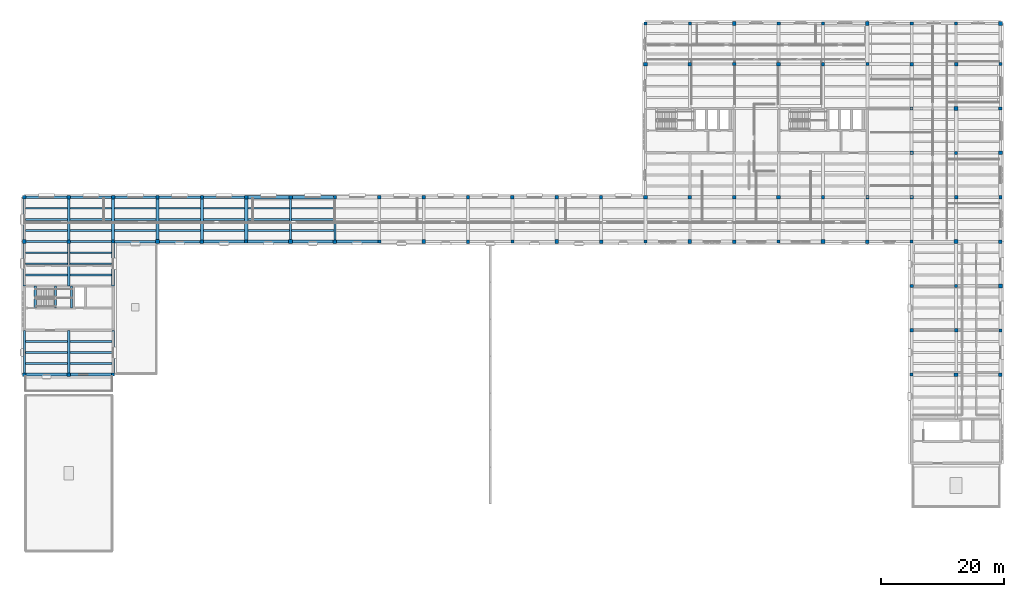
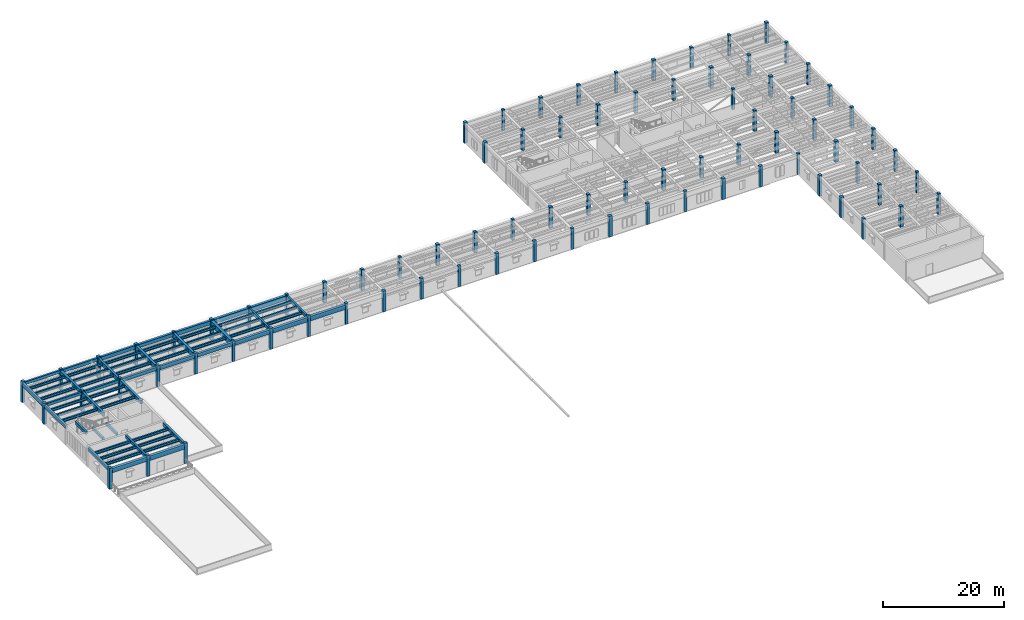
# One storey, part 1 of 27: 82 columns, 67 beams.
"""IFC4 building model written with IfcOpenShell, lengths in metres."""

from ifc_helpers import new_model, si_unit, direction, frame, origin, origin_2d, place, context, subcontext, project, spatial, rectangle, i_section, extrude, material, material_profile, profile_set, type_object, element, save


model = new_model("IFC4")

# Units and contexts
model_context = context("Model", 3, precision=1e-05, world=origin(), true_north=direction((0.0, 1.0)))
body_context = subcontext(model_context, "Body", "Model", "MODEL_VIEW")
ifc_project = project(units=[si_unit("LENGTHUNIT", "METRE"), si_unit("AREAUNIT", "SQUARE_METRE"), si_unit("VOLUMEUNIT", "CUBIC_METRE"), si_unit("PLANEANGLEUNIT", "RADIAN"), si_unit("MASSUNIT", "GRAM", prefix="KILO")], contexts=[model_context])

# Site, building, storey
site_placement = place(None, origin())
site = spatial("IfcSite", under=ifc_project, at=site_placement, CompositionType="ELEMENT")
building_placement = place(site_placement, origin())
building = spatial("IfcBuilding", under=site, at=building_placement, Name="Mithqara Police Headquarters", CompositionType="ELEMENT")
storey_placement = place(building_placement, frame((0.0, 0.0, 18.0)))
storey = spatial("IfcBuildingStorey", under=building, at=storey_placement, Name="L04", CompositionType="ELEMENT", Elevation=18.0)

# Columns
ifc_material_1 = material(Name="Concrete C50/60", Category="concrete")
ifc_material_profile_1 = material_profile(ifc_material_1, rectangle(XDim=0.5, YDim=0.5, at=origin_2d()), Name="RC 500x500")
ifc_profile_set_1 = profile_set([ifc_material_profile_1], Name="Concrete C50/60")
column_type_1 = type_object("IfcColumnType", Name="COLUMN RC500", PredefinedType="COLUMN", material=ifc_profile_set_1)
for number, where, z_axis, x_axis, name in (
    (1, (15.0, 85.800048828125, 0.0), (0.0, 0.0, 1.0), (1.0, 0.0, 0.0), "L04 Column 3/N"),
    (2, (22.199951171875, 57.0, 0.0), (0.0, 0.0, 1.0), (1.0, 0.0, 0.0), "L04 Column 4/J"),
    (3, (22.199951171875, 78.60009765625, 0.0), (0.0, 0.0, 1.0), (1.0, 0.0, 0.0), "L04 Column 4/M"),
    (4, (36.60009765625, 85.800048828125, 0.0), (0.0, 0.0, 1.0), (1.0, 0.0, 0.0), "L04 Column 6/N"),
    (5, (43.800048828125, 78.60009765625, 0.0), (0.0, 0.0, 1.0), (1.0, 0.0, 0.0), "L04 Column 7/M"),
    (6, (58.199951171875, 85.800048828125, 0.0), (0.0, 0.0, 1.0), (1.0, 0.0, 0.0), "L04 Column 9/N"),
    (7, (65.39990234375, 78.60009765625, 0.0), (0.0, 0.0, 1.0), (1.0, 0.0, 0.0), "L04 Column 10/M"),
    (8, (79.800048828125, 85.800048828125, 0.0), (0.0, 0.0, 1.0), (1.0, 0.0, 0.0), "L04 Column 12/N"),
    (9, (87.0, 78.60009765625, 0.0), (0.0, 0.0, 1.0), (1.0, 0.0, 0.0), "L04 Column 13/M"),
    (10, (101.39990234375, 85.800048828125, 0.0), (0.0, 0.0, 1.0), (1.0, 0.0, 0.0), "L04 Column 15/N"),
    (11, (108.60009765625, 78.60009765625, 0.0), (0.0, 0.0, 1.0), (1.0, 0.0, 0.0), "L04 Column 16/M"),
    (12, (115.800048828125, 114.0, 0.0), (0.0, 0.0, 1.0), (1.0, 0.0, 0.0), "L04 Column 17/S"),
    (13, (123.0, 85.800048828125, 0.0), (0.0, 0.0, 1.0), (1.0, 0.0, 0.0), "L04 Column 18/N"),
    (14, (123.0, 107.39990234375, 0.0), (0.0, 0.0, 1.0), (1.0, 0.0, 0.0), "L04 Column 18/R"),
    (15, (130.199951171875, 78.60009765625, 0.0), (0.0, 0.0, 1.0), (1.0, 0.0, 0.0), "L04 Column 19/M"),
    (16, (137.39990234375, 114.0, 0.0), (0.0, 0.0, 1.0), (1.0, 0.0, 0.0), "L04 Column 20/S"),
    (17, (144.60009765625, 85.800048828125, 0.0), (0.0, 0.0, 1.0), (1.0, 0.0, 0.0), "L04 Column 21/N"),
    (18, (144.60009765625, 107.39990234375, 0.0), (0.0, 0.0, 1.0), (1.0, 0.0, 0.0), "L04 Column 21/R"),
    (19, (151.800048828125, 57.0, 0.0), (0.0, 0.0, 1.0), (1.0, 0.0, 0.0), "L04 Column 22/J"),
    (20, (151.800048828125, 78.60009765625, 0.0), (0.0, 0.0, 1.0), (1.0, 0.0, 0.0), "L04 Column 22/M"),
    (21, (151.800048828125, 100.199951171875, 0.0), (0.0, 0.0, 1.0), (1.0, 0.0, 0.0), "L04 Column 22/Q"),
    (22, (159.0, 71.39990234375, 0.0), (0.0, 0.0, 1.0), (1.0, 0.0, 0.0), "L04 Column 23/L"),
    (23, (159.0, 93.0, 0.0), (0.0, 0.0, 1.0), (1.0, 0.0, 0.0), "L04 Column 23/P"),
    (24, (159.0, 114.0, 0.0), (0.0, 0.0, 1.0), (1.0, 0.0, 0.0), "L04 Column 23/S"),
    (25, (166.199951171875, 64.199951171875, 0.0), (0.0, 0.0, 1.0), (1.0, 0.0, 0.0), "L04 Column 24/K"),
    (26, (166.199951171875, 85.800048828125, 0.0), (0.0, 0.0, 1.0), (1.0, 0.0, 0.0), "L04 Column 24/N"),
    (27, (166.199951171875, 107.39990234375, 0.0), (0.0, 0.0, 1.0), (1.0, 0.0, 0.0), "L04 Column 24/R"),
):
    element("IfcColumn", number, at=place(storey_placement, frame(where, z_axis=z_axis, x_axis=x_axis)), inside=storey, type_object=column_type_1, Name=name, PredefinedType="COLUMN", context=body_context, shape_type="SweptSolid", body=[
        extrude(rectangle(XDim=0.5, YDim=0.5, at=origin_2d()), origin(), (0.0, 0.0, 1.0), 4.199951171875),
    ])
ifc_material_profile_2 = material_profile(ifc_material_1, rectangle(XDim=0.550048828125, YDim=0.550048828125, at=origin_2d()), Name="RC 550x550")
ifc_profile_set_2 = profile_set([ifc_material_profile_2], Name="Concrete C50/60")
column_type_2 = type_object("IfcColumnType", Name="COLUMN RC550", PredefinedType="COLUMN", material=ifc_profile_set_2)
for number, where, z_axis, x_axis, name in (
    (28, (7.800048828125, 85.800048828125, 0.0), (0.0, 0.0, 1.0), (1.0, 0.0, 0.0), "L04 Column 2/N"),
    (29, (15.0, 57.0, 0.0), (0.0, 0.0, 1.0), (1.0, 0.0, 0.0), "L04 Column 3/J"),
    (30, (15.0, 78.60009765625, 0.0), (0.0, 0.0, 1.0), (1.0, 0.0, 0.0), "L04 Column 3/M"),
    (31, (29.39990234375, 85.800048828125, 0.0), (0.0, 0.0, 1.0), (1.0, 0.0, 0.0), "L04 Column 5/N"),
    (32, (36.60009765625, 78.60009765625, 0.0), (0.0, 0.0, 1.0), (1.0, 0.0, 0.0), "L04 Column 6/M"),
    (33, (51.0, 85.800048828125, 0.0), (0.0, 0.0, 1.0), (1.0, 0.0, 0.0), "L04 Column 8/N"),
    (34, (58.199951171875, 78.60009765625, 0.0), (0.0, 0.0, 1.0), (1.0, 0.0, 0.0), "L04 Column 9/M"),
    (35, (72.60009765625, 85.800048828125, 0.0), (0.0, 0.0, 1.0), (1.0, 0.0, 0.0), "L04 Column 11/N"),
    (36, (79.800048828125, 78.60009765625, 0.0), (0.0, 0.0, 1.0), (1.0, 0.0, 0.0), "L04 Column 12/M"),
    (37, (94.199951171875, 85.800048828125, 0.0), (0.0, 0.0, 1.0), (1.0, 0.0, 0.0), "L04 Column 14/N"),
    (38, (101.39990234375, 78.60009765625, 0.0), (0.0, 0.0, 1.0), (1.0, 0.0, 0.0), "L04 Column 15/M"),
    (39, (108.60009765625, 114.0, 0.0), (0.0, 0.0, 1.0), (1.0, 0.0, 0.0), "L04 Column 16/S"),
    (40, (115.800048828125, 85.800048828125, 0.0), (0.0, 0.0, 1.0), (1.0, 0.0, 0.0), "L04 Column 17/N"),
    (41, (115.800048828125, 107.39990234375, 0.0), (0.0, 0.0, 1.0), (1.0, 0.0, 0.0), "L04 Column 17/R"),
    (42, (123.0, 78.60009765625, 0.0), (0.0, 0.0, 1.0), (1.0, 0.0, 0.0), "L04 Column 18/M"),
    (43, (130.199951171875, 114.0, 0.0), (0.0, 0.0, 1.0), (1.0, 0.0, 0.0), "L04 Column 19/S"),
    (44, (137.39990234375, 85.800048828125, 0.0), (0.0, 0.0, 1.0), (1.0, 0.0, 0.0), "L04 Column 20/N"),
    (45, (137.39990234375, 107.39990234375, 0.0), (0.0, 0.0, 1.0), (1.0, 0.0, 0.0), "L04 Column 20/R"),
    (46, (144.60009765625, 78.60009765625, 0.0), (0.0, 0.0, 1.0), (1.0, 0.0, 0.0), "L04 Column 21/M"),
    (47, (151.800048828125, 71.39990234375, 0.0), (0.0, 0.0, 1.0), (1.0, 0.0, 0.0), "L04 Column 22/L"),
    (48, (151.800048828125, 93.0, 0.0), (0.0, 0.0, 1.0), (1.0, 0.0, 0.0), "L04 Column 22/P"),
    (49, (151.800048828125, 114.0, 0.0), (0.0, 0.0, 1.0), (1.0, 0.0, 0.0), "L04 Column 22/S"),
    (50, (159.0, 64.199951171875, 0.0), (0.0, 0.0, 1.0), (1.0, 0.0, 0.0), "L04 Column 23/K"),
    (51, (159.0, 85.800048828125, 0.0), (0.0, 0.0, 1.0), (1.0, 0.0, 0.0), "L04 Column 23/N"),
    (52, (159.0, 107.39990234375, 0.0), (0.0, 0.0, 1.0), (1.0, 0.0, 0.0), "L04 Column 23/R"),
    (53, (166.199951171875, 57.0, 0.0), (0.0, 0.0, 1.0), (1.0, 0.0, 0.0), "L04 Column 24/J"),
    (54, (166.199951171875, 78.60009765625, 0.0), (0.0, 0.0, 1.0), (1.0, 0.0, 0.0), "L04 Column 24/M"),
    (55, (166.199951171875, 100.199951171875, 0.0), (0.0, 0.0, 1.0), (1.0, 0.0, 0.0), "L04 Column 24/Q"),
):
    element("IfcColumn", number, at=place(storey_placement, frame(where, z_axis=z_axis, x_axis=x_axis)), inside=storey, type_object=column_type_2, Name=name, PredefinedType="COLUMN", context=body_context, shape_type="SweptSolid", body=[
        extrude(rectangle(XDim=0.550048828125, YDim=0.550048828125, at=origin_2d()), origin(), (0.0, 0.0, 1.0), 4.199951171875),
    ])
ifc_material_profile_3 = material_profile(ifc_material_1, rectangle(XDim=0.60009765625, YDim=0.60009765625, at=origin_2d()), Name="RC 600x600")
ifc_profile_set_3 = profile_set([ifc_material_profile_3], Name="Concrete C50/60")
column_type_3 = type_object("IfcColumnType", Name="COLUMN RC600", PredefinedType="COLUMN", material=ifc_profile_set_3)
for number, where, z_axis, x_axis, name in (
    (56, (7.800048828125, 57.0, 0.0), (0.0, 0.0, 1.0), (1.0, 0.0, 0.0), "L04 Column 2/J"),
    (57, (7.800048828125, 78.60009765625, 0.0), (0.0, 0.0, 1.0), (1.0, 0.0, 0.0), "L04 Column 2/M"),
    (58, (22.199951171875, 85.800048828125, 0.0), (0.0, 0.0, 1.0), (1.0, 0.0, 0.0), "L04 Column 4/N"),
    (59, (29.39990234375, 78.60009765625, 0.0), (0.0, 0.0, 1.0), (1.0, 0.0, 0.0), "L04 Column 5/M"),
    (60, (43.800048828125, 85.800048828125, 0.0), (0.0, 0.0, 1.0), (1.0, 0.0, 0.0), "L04 Column 7/N"),
    (61, (51.0, 78.60009765625, 0.0), (0.0, 0.0, 1.0), (1.0, 0.0, 0.0), "L04 Column 8/M"),
    (62, (65.39990234375, 85.800048828125, 0.0), (0.0, 0.0, 1.0), (1.0, 0.0, 0.0), "L04 Column 10/N"),
    (63, (72.60009765625, 78.60009765625, 0.0), (0.0, 0.0, 1.0), (1.0, 0.0, 0.0), "L04 Column 11/M"),
    (64, (87.0, 85.800048828125, 0.0), (0.0, 0.0, 1.0), (1.0, 0.0, 0.0), "L04 Column 13/N"),
    (65, (94.199951171875, 78.60009765625, 0.0), (0.0, 0.0, 1.0), (1.0, 0.0, 0.0), "L04 Column 14/M"),
    (66, (108.60009765625, 85.800048828125, 0.0), (0.0, 0.0, 1.0), (1.0, 0.0, 0.0), "L04 Column 16/N"),
    (67, (108.60009765625, 107.39990234375, 0.0), (0.0, 0.0, 1.0), (1.0, 0.0, 0.0), "L04 Column 16/R"),
    (68, (115.800048828125, 78.60009765625, 0.0), (0.0, 0.0, 1.0), (1.0, 0.0, 0.0), "L04 Column 17/M"),
    (69, (123.0, 114.0, 0.0), (0.0, 0.0, 1.0), (1.0, 0.0, 0.0), "L04 Column 18/S"),
    (70, (130.199951171875, 85.800048828125, 0.0), (0.0, 0.0, 1.0), (1.0, 0.0, 0.0), "L04 Column 19/N"),
    (71, (130.199951171875, 107.39990234375, 0.0), (0.0, 0.0, 1.0), (1.0, 0.0, 0.0), "L04 Column 19/R"),
    (72, (137.39990234375, 78.60009765625, 0.0), (0.0, 0.0, 1.0), (1.0, 0.0, 0.0), "L04 Column 20/M"),
    (73, (144.60009765625, 114.0, 0.0), (0.0, 0.0, 1.0), (1.0, 0.0, 0.0), "L04 Column 21/S"),
    (74, (151.800048828125, 64.199951171875, 0.0), (0.0, 0.0, 1.0), (1.0, 0.0, 0.0), "L04 Column 22/K"),
    (75, (151.800048828125, 85.800048828125, 0.0), (0.0, 0.0, 1.0), (1.0, 0.0, 0.0), "L04 Column 22/N"),
    (76, (151.800048828125, 107.39990234375, 0.0), (0.0, 0.0, 1.0), (1.0, 0.0, 0.0), "L04 Column 22/R"),
    (77, (159.0, 57.0, 0.0), (0.0, 0.0, 1.0), (1.0, 0.0, 0.0), "L04 Column 23/J"),
    (78, (159.0, 78.60009765625, 0.0), (0.0, 0.0, 1.0), (1.0, 0.0, 0.0), "L04 Column 23/M"),
    (79, (159.0, 100.199951171875, 0.0), (0.0, 0.0, 1.0), (1.0, 0.0, 0.0), "L04 Column 23/Q"),
    (80, (166.199951171875, 71.39990234375, 0.0), (0.0, 0.0, 1.0), (1.0, 0.0, 0.0), "L04 Column 24/L"),
    (81, (166.199951171875, 93.0, 0.0), (0.0, 0.0, 1.0), (1.0, 0.0, 0.0), "L04 Column 24/P"),
    (82, (166.199951171875, 114.0, 0.0), (0.0, 0.0, 1.0), (1.0, 0.0, 0.0), "L04 Column 24/S"),
):
    element("IfcColumn", number, at=place(storey_placement, frame(where, z_axis=z_axis, x_axis=x_axis)), inside=storey, type_object=column_type_3, Name=name, PredefinedType="COLUMN", context=body_context, shape_type="SweptSolid", body=[
        extrude(rectangle(XDim=0.60009765625, YDim=0.60009765625, at=origin_2d()), origin(), (0.0, 0.0, 1.0), 4.199951171875),
    ])

# Beams
ifc_material_2 = material(Name="Steel S355JR", Category="steel")
ifc_material_profile_4 = material_profile(ifc_material_2, i_section(OverallWidth=0.300048828125, OverallDepth=0.550048828125, WebThickness=0.014892578125, FlangeThickness=0.029052734375, FilletRadius=0.027099609375, at=origin_2d()), Name="HEB 550")
ifc_profile_set_4 = profile_set([ifc_material_profile_4], Name="Steel S355JR")
beam_type_1 = type_object("IfcBeamType", Name="BEAM HEB550", PredefinedType="BEAM", material=ifc_profile_set_4)
for number, where, z_axis, x_axis, name in (
    (83, (7.97509765625, 58.800048828125, 3.6650390625), (1.0, 0.0, 0.0), (0.0, 1.0, 0.0), "L04 Composite Steel Joist 2-3/J.1"),
    (84, (7.97509765625, 60.60009765625, 3.6650390625), (1.0, 0.0, 0.0), (0.0, 1.0, 0.0), "L04 Composite Steel Joist 2-3/J.2"),
    (85, (7.97509765625, 62.39990234375, 3.6650390625), (1.0, 0.0, 0.0), (0.0, 1.0, 0.0), "L04 Composite Steel Joist 2-3/J.3"),
):
    element("IfcBeam", number, at=place(storey_placement, frame(where, z_axis=z_axis, x_axis=x_axis)), inside=storey, type_object=beam_type_1, Name=name, PredefinedType="BEAM", context=body_context, shape_type="SweptSolid", body=[
        extrude(i_section(OverallWidth=0.300048828125, OverallDepth=0.550048828125, WebThickness=0.014892578125, FlangeThickness=0.029052734375, FilletRadius=0.027099609375, at=origin_2d()), origin(), (0.0, 0.0, 1.0), 6.849853515625),
    ])
for number, where, z_axis, x_axis, name in (
    (86, (8.0, 73.199951171875, 3.6650390625), (1.0, 0.0, 0.0), (0.0, 1.0, 0.0), "L04 Composite Steel Joist 2-3/L.1"),
    (87, (8.0, 75.0, 3.6650390625), (1.0, 0.0, 0.0), (0.0, 1.0, 0.0), "L04 Composite Steel Joist 2-3/L.2"),
    (88, (8.0, 76.800048828125, 3.6650390625), (1.0, 0.0, 0.0), (0.0, 1.0, 0.0), "L04 Composite Steel Joist 2-3/L.3"),
):
    element("IfcBeam", number, at=place(storey_placement, frame(where, z_axis=z_axis, x_axis=x_axis)), inside=storey, type_object=beam_type_1, Name=name, PredefinedType="BEAM", context=body_context, shape_type="SweptSolid", body=[
        extrude(i_section(OverallWidth=0.300048828125, OverallDepth=0.550048828125, WebThickness=0.014892578125, FlangeThickness=0.029052734375, FilletRadius=0.027099609375, at=origin_2d()), origin(), (0.0, 0.0, 1.0), 6.800048828125),
    ])
for number, where, z_axis, x_axis, name in (
    (89, (8.0, 80.39990234375, 3.6650390625), (1.0, 0.0, 0.0), (0.0, 1.0, 0.0), "L04 Composite Steel Joist 2-3/M.1"),
    (90, (8.0, 82.199951171875, 3.6650390625), (1.0, 0.0, 0.0), (0.0, 1.0, 0.0), "L04 Composite Steel Joist 2-3/M.2"),
    (91, (8.0, 84.0, 3.6650390625), (1.0, 0.0, 0.0), (0.0, 1.0, 0.0), "L04 Composite Steel Joist 2-3/M.3"),
):
    element("IfcBeam", number, at=place(storey_placement, frame(where, z_axis=z_axis, x_axis=x_axis)), inside=storey, type_object=beam_type_1, Name=name, PredefinedType="BEAM", context=body_context, shape_type="SweptSolid", body=[
        extrude(i_section(OverallWidth=0.300048828125, OverallDepth=0.550048828125, WebThickness=0.014892578125, FlangeThickness=0.029052734375, FilletRadius=0.027099609375, at=origin_2d()), origin(), (0.0, 0.0, 1.0), 6.77490234375),
    ])
for number, where, z_axis, x_axis, name in (
    (92, (15.175048828125, 58.800048828125, 3.6650390625), (1.0, 0.0, 0.0), (0.0, 1.0, 0.0), "L04 Composite Steel Joist 3-4/J.1"),
    (93, (15.175048828125, 60.60009765625, 3.6650390625), (1.0, 0.0, 0.0), (0.0, 1.0, 0.0), "L04 Composite Steel Joist 3-4/J.2"),
    (94, (15.175048828125, 62.39990234375, 3.6650390625), (1.0, 0.0, 0.0), (0.0, 1.0, 0.0), "L04 Composite Steel Joist 3-4/J.3"),
):
    element("IfcBeam", number, at=place(storey_placement, frame(where, z_axis=z_axis, x_axis=x_axis)), inside=storey, type_object=beam_type_1, Name=name, PredefinedType="BEAM", context=body_context, shape_type="SweptSolid", body=[
        extrude(i_section(OverallWidth=0.300048828125, OverallDepth=0.550048828125, WebThickness=0.014892578125, FlangeThickness=0.029052734375, FilletRadius=0.027099609375, at=origin_2d()), origin(), (0.0, 0.0, 1.0), 6.824951171875),
    ])
for number, where, z_axis, x_axis, name in (
    (95, (15.199951171875, 73.199951171875, 3.6650390625), (1.0, 0.0, 0.0), (0.0, 1.0, 0.0), "L04 Composite Steel Joist 3-4/L.1"),
    (96, (15.199951171875, 75.0, 3.6650390625), (1.0, 0.0, 0.0), (0.0, 1.0, 0.0), "L04 Composite Steel Joist 3-4/L.2"),
    (97, (15.199951171875, 76.800048828125, 3.6650390625), (1.0, 0.0, 0.0), (0.0, 1.0, 0.0), "L04 Composite Steel Joist 3-4/L.3"),
):
    element("IfcBeam", number, at=place(storey_placement, frame(where, z_axis=z_axis, x_axis=x_axis)), inside=storey, type_object=beam_type_1, Name=name, PredefinedType="BEAM", context=body_context, shape_type="SweptSolid", body=[
        extrude(i_section(OverallWidth=0.300048828125, OverallDepth=0.550048828125, WebThickness=0.014892578125, FlangeThickness=0.029052734375, FilletRadius=0.027099609375, at=origin_2d()), origin(), (0.0, 0.0, 1.0), 6.775146484375),
    ])
for number, where, z_axis, x_axis, name in (
    (98, (15.22509765625, 80.39990234375, 3.6650390625), (1.0, 0.0, 0.0), (0.0, 1.0, 0.0), "L04 Composite Steel Joist 3-4/M.1"),
    (99, (15.22509765625, 82.199951171875, 3.6650390625), (1.0, 0.0, 0.0), (0.0, 1.0, 0.0), "L04 Composite Steel Joist 3-4/M.2"),
    (100, (15.22509765625, 84.0, 3.6650390625), (1.0, 0.0, 0.0), (0.0, 1.0, 0.0), "L04 Composite Steel Joist 3-4/M.3"),
):
    element("IfcBeam", number, at=place(storey_placement, frame(where, z_axis=z_axis, x_axis=x_axis)), inside=storey, type_object=beam_type_1, Name=name, PredefinedType="BEAM", context=body_context, shape_type="SweptSolid", body=[
        extrude(i_section(OverallWidth=0.300048828125, OverallDepth=0.550048828125, WebThickness=0.014892578125, FlangeThickness=0.029052734375, FilletRadius=0.027099609375, at=origin_2d()), origin(), (0.0, 0.0, 1.0), 6.75),
    ])
for number, where, z_axis, x_axis, name in (
    (101, (22.425048828125, 80.39990234375, 3.6650390625), (1.0, 0.0, 0.0), (0.0, 1.0, 0.0), "L04 Composite Steel Joist 4-5/M.1"),
    (102, (22.425048828125, 82.199951171875, 3.6650390625), (1.0, 0.0, 0.0), (0.0, 1.0, 0.0), "L04 Composite Steel Joist 4-5/M.2"),
    (103, (22.425048828125, 84.0, 3.6650390625), (1.0, 0.0, 0.0), (0.0, 1.0, 0.0), "L04 Composite Steel Joist 4-5/M.3"),
):
    element("IfcBeam", number, at=place(storey_placement, frame(where, z_axis=z_axis, x_axis=x_axis)), inside=storey, type_object=beam_type_1, Name=name, PredefinedType="BEAM", context=body_context, shape_type="SweptSolid", body=[
        extrude(i_section(OverallWidth=0.300048828125, OverallDepth=0.550048828125, WebThickness=0.014892578125, FlangeThickness=0.029052734375, FilletRadius=0.027099609375, at=origin_2d()), origin(), (0.0, 0.0, 1.0), 6.724853515625),
    ])
for number, where, z_axis, x_axis, name in (
    (104, (29.64990234375, 80.39990234375, 3.6650390625), (1.0, 0.0, 0.0), (0.0, 1.0, 0.0), "L04 Composite Steel Joist 5-6/M.1"),
    (105, (29.64990234375, 82.199951171875, 3.6650390625), (1.0, 0.0, 0.0), (0.0, 1.0, 0.0), "L04 Composite Steel Joist 5-6/M.2"),
    (106, (29.64990234375, 84.0, 3.6650390625), (1.0, 0.0, 0.0), (0.0, 1.0, 0.0), "L04 Composite Steel Joist 5-6/M.3"),
):
    element("IfcBeam", number, at=place(storey_placement, frame(where, z_axis=z_axis, x_axis=x_axis)), inside=storey, type_object=beam_type_1, Name=name, PredefinedType="BEAM", context=body_context, shape_type="SweptSolid", body=[
        extrude(i_section(OverallWidth=0.300048828125, OverallDepth=0.550048828125, WebThickness=0.014892578125, FlangeThickness=0.029052734375, FilletRadius=0.027099609375, at=origin_2d()), origin(), (0.0, 0.0, 1.0), 6.7001953125),
    ])
for number, where, z_axis, x_axis, name in (
    (107, (36.85009765625, 80.39990234375, 3.6650390625), (1.0, 0.0, 0.0), (0.0, 1.0, 0.0), "L04 Composite Steel Joist 6-7/M.1"),
    (108, (36.85009765625, 82.199951171875, 3.6650390625), (1.0, 0.0, 0.0), (0.0, 1.0, 0.0), "L04 Composite Steel Joist 6-7/M.2"),
    (109, (36.85009765625, 84.0, 3.6650390625), (1.0, 0.0, 0.0), (0.0, 1.0, 0.0), "L04 Composite Steel Joist 6-7/M.3"),
):
    element("IfcBeam", number, at=place(storey_placement, frame(where, z_axis=z_axis, x_axis=x_axis)), inside=storey, type_object=beam_type_1, Name=name, PredefinedType="BEAM", context=body_context, shape_type="SweptSolid", body=[
        extrude(i_section(OverallWidth=0.300048828125, OverallDepth=0.550048828125, WebThickness=0.014892578125, FlangeThickness=0.029052734375, FilletRadius=0.027099609375, at=origin_2d()), origin(), (0.0, 0.0, 1.0), 6.6748046875),
    ])
for number, where, z_axis, x_axis, name in (
    (110, (44.074951171875, 80.39990234375, 3.6650390625), (1.0, 0.0, 0.0), (0.0, 1.0, 0.0), "L04 Composite Steel Joist 7-8/M.1"),
    (111, (44.074951171875, 82.199951171875, 3.6650390625), (1.0, 0.0, 0.0), (0.0, 1.0, 0.0), "L04 Composite Steel Joist 7-8/M.2"),
    (112, (44.074951171875, 84.0, 3.6650390625), (1.0, 0.0, 0.0), (0.0, 1.0, 0.0), "L04 Composite Steel Joist 7-8/M.3"),
):
    element("IfcBeam", number, at=place(storey_placement, frame(where, z_axis=z_axis, x_axis=x_axis)), inside=storey, type_object=beam_type_1, Name=name, PredefinedType="BEAM", context=body_context, shape_type="SweptSolid", body=[
        extrude(i_section(OverallWidth=0.300048828125, OverallDepth=0.550048828125, WebThickness=0.014892578125, FlangeThickness=0.029052734375, FilletRadius=0.027099609375, at=origin_2d()), origin(), (0.0, 0.0, 1.0), 6.75),
    ])
for number, where, z_axis, x_axis, name in (
    (113, (51.175048828125, 80.39990234375, 3.6650390625), (1.0, 0.0, 0.0), (0.0, 1.0, 0.0), "L04 Composite Steel Joist 8-9/M.1"),
    (114, (51.175048828125, 82.199951171875, 3.6650390625), (1.0, 0.0, 0.0), (0.0, 1.0, 0.0), "L04 Composite Steel Joist 8-9/M.2"),
    (115, (51.175048828125, 84.0, 3.6650390625), (1.0, 0.0, 0.0), (0.0, 1.0, 0.0), "L04 Composite Steel Joist 8-9/M.3"),
):
    element("IfcBeam", number, at=place(storey_placement, frame(where, z_axis=z_axis, x_axis=x_axis)), inside=storey, type_object=beam_type_1, Name=name, PredefinedType="BEAM", context=body_context, shape_type="SweptSolid", body=[
        extrude(i_section(OverallWidth=0.300048828125, OverallDepth=0.550048828125, WebThickness=0.014892578125, FlangeThickness=0.029052734375, FilletRadius=0.027099609375, at=origin_2d()), origin(), (0.0, 0.0, 1.0), 6.849853515625),
    ])
ifc_material_3 = material(Name="Concrete C40/50", Category="concrete")
ifc_material_profile_5 = material_profile(ifc_material_3, rectangle(XDim=0.35009765625, YDim=0.550048828125, at=origin_2d()), Name="RC 350x550")
ifc_profile_set_5 = profile_set([ifc_material_profile_5], Name="Concrete C40/50")
beam_type_2 = type_object("IfcBeamType", Name="BEAM RC350X550", PredefinedType="BEAM", material=ifc_profile_set_5)
for number, where, z_axis, x_axis, name in (
    (116, (7.800048828125, 57.0, 3.6650390625), (0.0, 1.0, 0.0), (-1.0, 0.0, 0.0), "L04 Girder 2/J-K"),
    (117, (7.800048828125, 78.60009765625, 3.6650390625), (1.0, 0.0, 0.0), (0.0, 1.0, 0.0), "L04 Girder 2-3/M"),
    (118, (51.0, 78.60009765625, 3.6650390625), (0.0, 1.0, 0.0), (-1.0, 0.0, 0.0), "L04 Girder 8/M-N"),
):
    element("IfcBeam", number, at=place(storey_placement, frame(where, z_axis=z_axis, x_axis=x_axis)), inside=storey, type_object=beam_type_2, Name=name, PredefinedType="BEAM", context=body_context, shape_type="SweptSolid", body=[
        extrude(rectangle(XDim=0.35009765625, YDim=0.550048828125, at=origin_2d()), origin(), (0.0, 0.0, 1.0), 7.199951171875),
    ])
for number, where, z_axis, x_axis, name in (
    (119, (12.830078125, 67.820068359375, 1.635009765625), (0.0, 1.0, 0.0), (-1.0, 0.0, 0.0), "L04 ST-03 Half-Landing Bearer LF"),
    (120, (15.449951171875, 67.820068359375, 1.635009765625), (0.0, 1.0, 0.0), (-1.0, 0.0, 0.0), "L04 ST-03 Half-Landing Bearer LB"),
    (121, (9.576904296875, 67.820068359375, 3.925048828125), (0.0, 1.0, 0.0), (-1.0, 0.0, 0.0), "L04 ST-03 Stairwell Trimmer Beam"),
):
    element("IfcBeam", number, at=place(storey_placement, frame(where, z_axis=z_axis, x_axis=x_axis)), inside=storey, type_object=beam_type_2, Name=name, PredefinedType="BEAM", context=body_context, shape_type="SweptSolid", body=[
        extrude(rectangle(XDim=0.35009765625, YDim=0.550048828125, at=origin_2d()), origin(), (0.0, 0.0, 1.0), 3.579833984375),
    ])
ifc_material_profile_6 = material_profile(ifc_material_3, rectangle(XDim=0.35009765625, YDim=0.60009765625, at=origin_2d()), Name="RC 350x600")
ifc_profile_set_6 = profile_set([ifc_material_profile_6], Name="Concrete C40/50")
beam_type_3 = type_object("IfcBeamType", Name="BEAM RC350X600", PredefinedType="BEAM", material=ifc_profile_set_6)
for number, where, z_axis, x_axis, name in (
    (122, (7.800048828125, 85.800048828125, 3.639892578125), (1.0, 0.0, 0.0), (0.0, 1.0, 0.0), "L04 Girder 2-3/N"),
    (123, (15.0, 57.0, 3.639892578125), (0.0, 1.0, 0.0), (-1.0, 0.0, 0.0), "L04 Girder 3/J-K"),
    (124, (15.0, 78.60009765625, 3.639892578125), (1.0, 0.0, 0.0), (0.0, 1.0, 0.0), "L04 Girder 3-4/M"),
    (125, (58.199951171875, 78.60009765625, 3.639892578125), (0.0, 1.0, 0.0), (-1.0, 0.0, 0.0), "L04 Girder 9/M-N"),
):
    element("IfcBeam", number, at=place(storey_placement, frame(where, z_axis=z_axis, x_axis=x_axis)), inside=storey, type_object=beam_type_3, Name=name, PredefinedType="BEAM", context=body_context, shape_type="SweptSolid", body=[
        extrude(rectangle(XDim=0.35009765625, YDim=0.60009765625, at=origin_2d()), origin(), (0.0, 0.0, 1.0), 7.199951171875),
    ])
ifc_material_profile_7 = material_profile(ifc_material_3, rectangle(XDim=0.39990234375, YDim=0.64990234375, at=origin_2d()), Name="RC 400x650")
ifc_profile_set_7 = profile_set([ifc_material_profile_7], Name="Concrete C40/50")
beam_type_4 = type_object("IfcBeamType", Name="BEAM RC400X650", PredefinedType="BEAM", material=ifc_profile_set_7)
beam_1_placement = place(storey_placement, frame((7.800048828125, 71.39990234375, 3.614990234375), z_axis=(0.0, 1.0, 0.0), x_axis=(-1.0, 0.0, 0.0)))
element("IfcBeam", 126, at=beam_1_placement, inside=storey, type_object=beam_type_4, Name="L04 Girder 2/L-M", PredefinedType="BEAM", context=body_context, shape_type="SweptSolid", body=[
    extrude(rectangle(XDim=0.39990234375, YDim=0.64990234375, at=origin_2d()), origin(), (0.0, 0.0, 1.0), 7.2001953125),
])
for number, where, z_axis, x_axis, name in (
    (127, (15.0, 85.800048828125, 3.614990234375), (1.0, 0.0, 0.0), (0.0, 1.0, 0.0), "L04 Girder 3-4/N"),
    (128, (22.199951171875, 57.0, 3.614990234375), (0.0, 1.0, 0.0), (-1.0, 0.0, 0.0), "L04 Girder 4/J-K"),
    (129, (22.199951171875, 78.60009765625, 3.614990234375), (1.0, 0.0, 0.0), (0.0, 1.0, 0.0), "L04 Girder 4-5/M"),
):
    element("IfcBeam", number, at=place(storey_placement, frame(where, z_axis=z_axis, x_axis=x_axis)), inside=storey, type_object=beam_type_4, Name=name, PredefinedType="BEAM", context=body_context, shape_type="SweptSolid", body=[
        extrude(rectangle(XDim=0.39990234375, YDim=0.64990234375, at=origin_2d()), origin(), (0.0, 0.0, 1.0), 7.199951171875),
    ])
ifc_material_profile_8 = material_profile(ifc_material_3, rectangle(XDim=0.39990234375, YDim=0.75, at=origin_2d()), Name="RC 400x750")
ifc_profile_set_8 = profile_set([ifc_material_profile_8], Name="Concrete C40/50")
beam_type_5 = type_object("IfcBeamType", Name="BEAM RC400X750", PredefinedType="BEAM", material=ifc_profile_set_8)
beam_2_placement = place(storey_placement, frame((7.800048828125, 78.60009765625, 3.56494140625), z_axis=(0.0, 1.0, 0.0), x_axis=(-1.0, 0.0, 0.0)))
element("IfcBeam", 130, at=beam_2_placement, inside=storey, type_object=beam_type_5, Name="L04 Girder 2/M-N", PredefinedType="BEAM", context=body_context, shape_type="SweptSolid", body=[
    extrude(rectangle(XDim=0.39990234375, YDim=0.75, at=origin_2d()), origin(), (0.0, 0.0, 1.0), 7.199951171875),
])
beam_3_placement = place(storey_placement, frame((15.0, 71.39990234375, 3.56494140625), z_axis=(0.0, 1.0, 0.0), x_axis=(-1.0, 0.0, 0.0)))
element("IfcBeam", 131, at=beam_3_placement, inside=storey, type_object=beam_type_5, Name="L04 Girder 3/L-M", PredefinedType="BEAM", context=body_context, shape_type="SweptSolid", body=[
    extrude(rectangle(XDim=0.39990234375, YDim=0.75, at=origin_2d()), origin(), (0.0, 0.0, 1.0), 7.2001953125),
])
beam_4_placement = place(storey_placement, frame((22.199951171875, 85.800048828125, 3.56494140625), z_axis=(1.0, 0.0, 0.0), x_axis=(0.0, 1.0, 0.0)))
element("IfcBeam", 132, at=beam_4_placement, inside=storey, type_object=beam_type_5, Name="L04 Girder 4-5/N", PredefinedType="BEAM", context=body_context, shape_type="SweptSolid", body=[
    extrude(rectangle(XDim=0.39990234375, YDim=0.75, at=origin_2d()), origin(), (0.0, 0.0, 1.0), 7.199951171875),
])
beam_5_placement = place(storey_placement, frame((29.39990234375, 78.60009765625, 3.56494140625), z_axis=(1.0, 0.0, 0.0), x_axis=(0.0, 1.0, 0.0)))
element("IfcBeam", 133, at=beam_5_placement, inside=storey, type_object=beam_type_5, Name="L04 Girder 5-6/M", PredefinedType="BEAM", context=body_context, shape_type="SweptSolid", body=[
    extrude(rectangle(XDim=0.39990234375, YDim=0.75, at=origin_2d()), origin(), (0.0, 0.0, 1.0), 7.2001953125),
])
ifc_material_profile_9 = material_profile(ifc_material_3, rectangle(XDim=0.449951171875, YDim=0.699951171875, at=origin_2d()), Name="RC 450x700")
ifc_profile_set_9 = profile_set([ifc_material_profile_9], Name="Concrete C40/50")
beam_type_6 = type_object("IfcBeamType", Name="BEAM RC450X700", PredefinedType="BEAM", material=ifc_profile_set_9)
beam_6_placement = place(storey_placement, frame((15.0, 78.60009765625, 3.590087890625), z_axis=(0.0, 1.0, 0.0), x_axis=(-1.0, 0.0, 0.0)))
element("IfcBeam", 134, at=beam_6_placement, inside=storey, type_object=beam_type_6, Name="L04 Girder 3/M-N", PredefinedType="BEAM", context=body_context, shape_type="SweptSolid", body=[
    extrude(rectangle(XDim=0.449951171875, YDim=0.699951171875, at=origin_2d()), origin(), (0.0, 0.0, 1.0), 7.199951171875),
])
for number, where, z_axis, x_axis, name in (
    (135, (22.199951171875, 71.39990234375, 3.590087890625), (0.0, 1.0, 0.0), (-1.0, 0.0, 0.0), "L04 Girder 4/L-M"),
    (136, (29.39990234375, 85.800048828125, 3.590087890625), (1.0, 0.0, 0.0), (0.0, 1.0, 0.0), "L04 Girder 5-6/N"),
):
    element("IfcBeam", number, at=place(storey_placement, frame(where, z_axis=z_axis, x_axis=x_axis)), inside=storey, type_object=beam_type_6, Name=name, PredefinedType="BEAM", context=body_context, shape_type="SweptSolid", body=[
        extrude(rectangle(XDim=0.449951171875, YDim=0.699951171875, at=origin_2d()), origin(), (0.0, 0.0, 1.0), 7.2001953125),
    ])
beam_7_placement = place(storey_placement, frame((36.60009765625, 78.60009765625, 3.590087890625), z_axis=(1.0, 0.0, 0.0), x_axis=(0.0, 1.0, 0.0)))
element("IfcBeam", 137, at=beam_7_placement, inside=storey, type_object=beam_type_6, Name="L04 Girder 6-7/M", PredefinedType="BEAM", context=body_context, shape_type="SweptSolid", body=[
    extrude(rectangle(XDim=0.449951171875, YDim=0.699951171875, at=origin_2d()), origin(), (0.0, 0.0, 1.0), 7.199951171875),
])
ifc_material_profile_10 = material_profile(ifc_material_3, rectangle(XDim=0.449951171875, YDim=0.800048828125, at=origin_2d()), Name="RC 450x800")
ifc_profile_set_10 = profile_set([ifc_material_profile_10], Name="Concrete C40/50")
beam_type_7 = type_object("IfcBeamType", Name="BEAM RC450X800", PredefinedType="BEAM", material=ifc_profile_set_10)
for number, where, z_axis, x_axis, name in (
    (138, (22.199951171875, 78.60009765625, 3.5400390625), (0.0, 1.0, 0.0), (-1.0, 0.0, 0.0), "L04 Girder 4/M-N"),
    (139, (36.60009765625, 85.800048828125, 3.5400390625), (1.0, 0.0, 0.0), (0.0, 1.0, 0.0), "L04 Girder 6-7/N"),
    (140, (43.800048828125, 78.60009765625, 3.5400390625), (1.0, 0.0, 0.0), (0.0, 1.0, 0.0), "L04 Girder 7-8/M"),
):
    element("IfcBeam", number, at=place(storey_placement, frame(where, z_axis=z_axis, x_axis=x_axis)), inside=storey, type_object=beam_type_7, Name=name, PredefinedType="BEAM", context=body_context, shape_type="SweptSolid", body=[
        extrude(rectangle(XDim=0.449951171875, YDim=0.800048828125, at=origin_2d()), origin(), (0.0, 0.0, 1.0), 7.199951171875),
    ])
ifc_material_profile_11 = material_profile(ifc_material_3, rectangle(XDim=0.5, YDim=0.85009765625, at=origin_2d()), Name="RC 500x850")
ifc_profile_set_11 = profile_set([ifc_material_profile_11], Name="Concrete C40/50")
beam_type_8 = type_object("IfcBeamType", Name="BEAM RC500X850", PredefinedType="BEAM", material=ifc_profile_set_11)
for number, where, z_axis, x_axis, name in (
    (141, (7.800048828125, 57.0, 3.514892578125), (1.0, 0.0, 0.0), (0.0, 1.0, 0.0), "L04 Girder 2-3/J"),
    (142, (29.39990234375, 78.60009765625, 3.514892578125), (0.0, 1.0, 0.0), (-1.0, 0.0, 0.0), "L04 Girder 5/M-N"),
    (143, (43.800048828125, 85.800048828125, 3.514892578125), (1.0, 0.0, 0.0), (0.0, 1.0, 0.0), "L04 Girder 7-8/N"),
    (144, (51.0, 78.60009765625, 3.514892578125), (1.0, 0.0, 0.0), (0.0, 1.0, 0.0), "L04 Girder 8-9/M"),
):
    element("IfcBeam", number, at=place(storey_placement, frame(where, z_axis=z_axis, x_axis=x_axis)), inside=storey, type_object=beam_type_8, Name=name, PredefinedType="BEAM", context=body_context, shape_type="SweptSolid", body=[
        extrude(rectangle(XDim=0.5, YDim=0.85009765625, at=origin_2d()), origin(), (0.0, 0.0, 1.0), 7.199951171875),
    ])
ifc_material_profile_12 = material_profile(ifc_material_1, rectangle(XDim=0.5, YDim=0.89990234375, at=origin_2d()), Name="RC 500x900")
ifc_profile_set_12 = profile_set([ifc_material_profile_12], Name="Concrete C50/60")
beam_type_9 = type_object("IfcBeamType", Name="BEAM RC500X900", PredefinedType="BEAM", material=ifc_profile_set_12)
for number, where, z_axis, x_axis, name in (
    (145, (15.0, 57.0, 3.489990234375), (1.0, 0.0, 0.0), (0.0, 1.0, 0.0), "L04 Girder 3-4/J"),
    (146, (36.60009765625, 78.60009765625, 3.489990234375), (0.0, 1.0, 0.0), (-1.0, 0.0, 0.0), "L04 Girder 6/M-N"),
    (147, (51.0, 85.800048828125, 3.489990234375), (1.0, 0.0, 0.0), (0.0, 1.0, 0.0), "L04 Girder 8-9/N"),
    (148, (58.199951171875, 78.60009765625, 3.489990234375), (1.0, 0.0, 0.0), (0.0, 1.0, 0.0), "L04 Girder 9-10/M"),
):
    element("IfcBeam", number, at=place(storey_placement, frame(where, z_axis=z_axis, x_axis=x_axis)), inside=storey, type_object=beam_type_9, Name=name, PredefinedType="BEAM", context=body_context, shape_type="SweptSolid", body=[
        extrude(rectangle(XDim=0.5, YDim=0.89990234375, at=origin_2d()), origin(), (0.0, 0.0, 1.0), 7.199951171875),
    ])
ifc_material_profile_13 = material_profile(ifc_material_1, rectangle(XDim=0.550048828125, YDim=1.0, at=origin_2d()), Name="RC 550x1000")
ifc_profile_set_13 = profile_set([ifc_material_profile_13], Name="Concrete C50/60")
beam_type_10 = type_object("IfcBeamType", Name="BEAM RC550X1000", PredefinedType="BEAM", material=ifc_profile_set_13)
beam_8_placement = place(storey_placement, frame((43.800048828125, 78.60009765625, 3.43994140625), z_axis=(0.0, 1.0, 0.0), x_axis=(-1.0, 0.0, 0.0)))
element("IfcBeam", 149, at=beam_8_placement, inside=storey, type_object=beam_type_10, Name="L04 Girder 7/M-N", PredefinedType="BEAM", context=body_context, shape_type="SweptSolid", body=[
    extrude(rectangle(XDim=0.550048828125, YDim=1.0, at=origin_2d()), origin(), (0.0, 0.0, 1.0), 7.199951171875),
])

save(model, "model.ifc")
